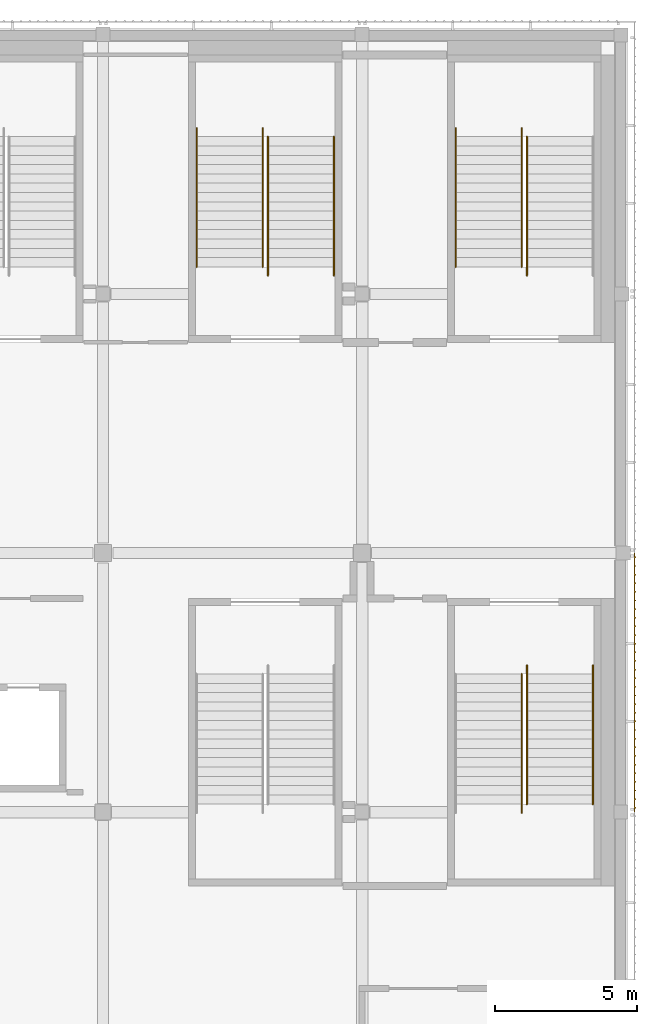
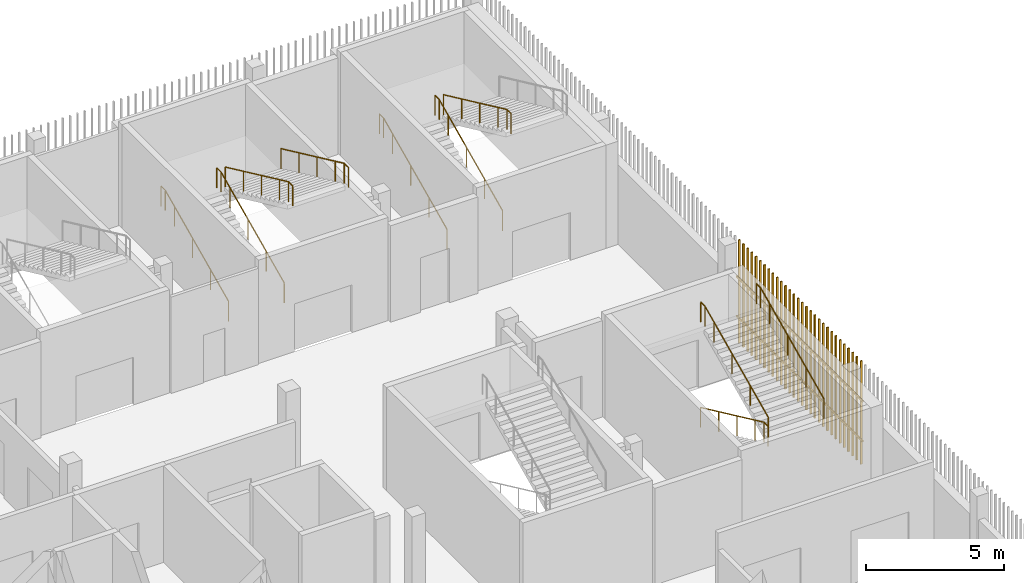
# One storey, part 120 of 124: 10 railings, 1 shading device.
"""IFC4 building model written with IfcOpenShell, lengths in metres."""

from ifc_helpers import new_model, si_unit, direction, frame, origin, origin_2d, place, context, subcontext, project, spatial, rectangle, circle, extrude, material, type_object, element, save


model = new_model("IFC4")

# Units and contexts
model_context = context("Model", 3, precision=1e-05, world=origin(), true_north=direction((0.0, 1.0)))
body_context = subcontext(model_context, "Body", "Model", "MODEL_VIEW")
ifc_project = project(units=[si_unit("LENGTHUNIT", "METRE"), si_unit("AREAUNIT", "SQUARE_METRE"), si_unit("VOLUMEUNIT", "CUBIC_METRE"), si_unit("PLANEANGLEUNIT", "RADIAN"), si_unit("MASSUNIT", "GRAM", prefix="KILO")], contexts=[model_context])

# Site, building, storey
site_placement = place(None, origin())
site = spatial("IfcSite", under=ifc_project, at=site_placement, CompositionType="ELEMENT")
building_placement = place(site_placement, origin())
building = spatial("IfcBuilding", under=site, at=building_placement, Name="Shirokan Park Arena", CompositionType="ELEMENT")
storey_placement = place(building_placement, frame((0.0, 0.0, 20.02001953125)))
storey = spatial("IfcBuildingStorey", under=building, at=storey_placement, Name="L04", CompositionType="ELEMENT", Elevation=20.02001953125)

# Railings
ifc_material_1 = material(Name="Stainless steel", Category="steel")
railing_type = type_object("IfcRailingType", Name="Stair handrail 900", PredefinedType="HANDRAIL", material=ifc_material_1)
railing_1_placement = place(storey_placement, frame((139.7900390625, 101.050048828125, 0.151611328125)))
element("IfcRailing", 1, at=railing_1_placement, inside=storey, type_object=railing_type, Name="Handrail Exit Stair 3.A L04 to L05", PredefinedType="HANDRAIL", context=body_context, shape_type="SweptSolid", body=[
    extrude(circle(Radius=0.02392578125, at=origin_2d()), frame((0.0, 0.0, 0.8759765625), z_axis=(0.0, 0.906999720516, 0.421131222998), x_axis=(-1.0, 0.0, 0.0)), (0.0, 0.0, 1.0), 1.440673828125),
    extrude(circle(Radius=0.02392578125, at=origin_2d()), frame((0.0, 1.306640625, 1.482421875), z_axis=(0.0, 0.907029769225, 0.421066500378), x_axis=(-1.0, 0.0, 0.0)), (0.0, 0.0, 1.0), 1.44091796875),
    extrude(circle(Radius=0.02392578125, at=origin_2d()), frame((0.0, 2.613525390625, 2.08935546875), z_axis=(0.0, 0.907029769225, 0.421066500378), x_axis=(-1.0, 0.0, 0.0)), (0.0, 0.0, 1.0), 1.44091796875),
    extrude(circle(Radius=0.02392578125, at=origin_2d()), frame((0.0, 3.92041015625, 2.69580078125), z_axis=(0.0, 0.907064445915, 0.420991794405), x_axis=(-1.0, 0.0, 0.0)), (0.0, 0.0, 1.0), 0.72021484375),
    extrude(circle(Radius=0.02392578125, at=origin_2d()), frame((0.0, 4.57373046875, 2.9990234375), z_axis=(0.0, 1.0, 0.0), x_axis=(-1.0, 0.0, 0.0)), (0.0, 0.0, 1.0), 0.300048828125),
    extrude(circle(Radius=0.02099609375, at=origin_2d()), origin(), (0.0, 0.0, 1.0), 0.851806640625),
    extrude(circle(Radius=0.02099609375, at=origin_2d()), frame((0.0, 1.306640625, 0.606689453125)), (0.0, 0.0, 1.0), 0.851806640625),
    extrude(circle(Radius=0.02099609375, at=origin_2d()), frame((0.0, 2.613525390625, 1.21337890625)), (0.0, 0.0, 1.0), 0.851806640625),
    extrude(circle(Radius=0.02099609375, at=origin_2d()), frame((0.0, 3.92041015625, 1.820068359375)), (0.0, 0.0, 1.0), 0.851806640625),
    extrude(circle(Radius=0.02099609375, at=origin_2d()), frame((0.0, 4.57373046875, 2.123291015625)), (0.0, 0.0, 1.0), 0.851806640625),
    extrude(circle(Radius=0.02099609375, at=origin_2d()), frame((0.0, 4.873779296875, 2.123291015625)), (0.0, 0.0, 1.0), 0.851806640625),
])
railing_2_placement = place(storey_placement, frame((142.110107421875, 101.050048828125, 0.151611328125)))
element("IfcRailing", 2, at=railing_2_placement, inside=storey, type_object=railing_type, Name="Handrail Exit Stair 3.A L04 to L05", PredefinedType="HANDRAIL", context=body_context, shape_type="SweptSolid", body=[
    extrude(circle(Radius=0.02392578125, at=origin_2d()), frame((0.0, 0.0, 0.8759765625), z_axis=(0.0, 0.906999720516, 0.421131222998), x_axis=(-1.0, 0.0, 0.0)), (0.0, 0.0, 1.0), 1.440673828125),
    extrude(circle(Radius=0.02392578125, at=origin_2d()), frame((0.0, 1.306640625, 1.482421875), z_axis=(0.0, 0.907029769225, 0.421066500378), x_axis=(-1.0, 0.0, 0.0)), (0.0, 0.0, 1.0), 1.44091796875),
    extrude(circle(Radius=0.02392578125, at=origin_2d()), frame((0.0, 2.613525390625, 2.08935546875), z_axis=(0.0, 0.907029769225, 0.421066500378), x_axis=(-1.0, 0.0, 0.0)), (0.0, 0.0, 1.0), 1.44091796875),
    extrude(circle(Radius=0.02392578125, at=origin_2d()), frame((0.0, 3.92041015625, 2.69580078125), z_axis=(0.0, 0.907064445915, 0.420991794405), x_axis=(-1.0, 0.0, 0.0)), (0.0, 0.0, 1.0), 0.72021484375),
    extrude(circle(Radius=0.02392578125, at=origin_2d()), frame((0.0, 4.57373046875, 2.9990234375), z_axis=(0.0, 1.0, 0.0), x_axis=(-1.0, 0.0, 0.0)), (0.0, 0.0, 1.0), 0.300048828125),
    extrude(circle(Radius=0.02099609375, at=origin_2d()), origin(), (0.0, 0.0, 1.0), 0.851806640625),
    extrude(circle(Radius=0.02099609375, at=origin_2d()), frame((0.0, 1.306640625, 0.606689453125)), (0.0, 0.0, 1.0), 0.851806640625),
    extrude(circle(Radius=0.02099609375, at=origin_2d()), frame((0.0, 2.613525390625, 1.21337890625)), (0.0, 0.0, 1.0), 0.851806640625),
    extrude(circle(Radius=0.02099609375, at=origin_2d()), frame((0.0, 3.92041015625, 1.820068359375)), (0.0, 0.0, 1.0), 0.851806640625),
    extrude(circle(Radius=0.02099609375, at=origin_2d()), frame((0.0, 4.57373046875, 2.123291015625)), (0.0, 0.0, 1.0), 0.851806640625),
    extrude(circle(Radius=0.02099609375, at=origin_2d()), frame((0.0, 4.873779296875, 2.123291015625)), (0.0, 0.0, 1.0), 0.851806640625),
])
railing_3_placement = place(storey_placement, frame((142.2900390625, 105.623779296875, 2.4267578125)))
element("IfcRailing", 3, at=railing_3_placement, inside=storey, type_object=railing_type, Name="Handrail Exit Stair 3.A L04 to L05", PredefinedType="HANDRAIL", context=body_context, shape_type="SweptSolid", body=[
    extrude(circle(Radius=0.02392578125, at=origin_2d()), frame((0.0, 0.0, 0.8759765625), z_axis=(0.0, -0.907094476872, 0.420927083981), x_axis=(1.0, 0.0, 0.0)), (0.0, 0.0, 1.0), 1.440673828125),
    extrude(circle(Radius=0.02392578125, at=origin_2d()), frame((0.0, -1.306884765625, 1.482421875), z_axis=(0.0, -0.906999720516, 0.421131222998), x_axis=(1.0, 0.0, 0.0)), (0.0, 0.0, 1.0), 1.440673828125),
    extrude(circle(Radius=0.02392578125, at=origin_2d()), frame((0.0, -2.613525390625, 2.0888671875), z_axis=(0.0, -0.907029769225, 0.421066500378), x_axis=(1.0, 0.0, 0.0)), (0.0, 0.0, 1.0), 1.44091796875),
    extrude(circle(Radius=0.02392578125, at=origin_2d()), frame((0.0, -3.92041015625, 2.69580078125), z_axis=(0.0, -0.906934982928, 0.421270621741), x_axis=(1.0, 0.0, 0.0)), (0.0, 0.0, 1.0), 0.720458984375),
    extrude(circle(Radius=0.02392578125, at=origin_2d()), frame((0.0, -4.57373046875, 2.9990234375), z_axis=(0.0, -1.0, 0.0), x_axis=(1.0, 0.0, 0.0)), (0.0, 0.0, 1.0), 0.300048828125),
    extrude(circle(Radius=0.02099609375, at=origin_2d()), origin(), (0.0, 0.0, 1.0), 0.851806640625),
    extrude(circle(Radius=0.02099609375, at=origin_2d()), frame((0.0, -1.306884765625, 0.6064453125)), (0.0, 0.0, 1.0), 0.851806640625),
    extrude(circle(Radius=0.02099609375, at=origin_2d()), frame((0.0, -2.613525390625, 1.213134765625)), (0.0, 0.0, 1.0), 0.851806640625),
    extrude(circle(Radius=0.02099609375, at=origin_2d()), frame((0.0, -3.92041015625, 1.81982421875)), (0.0, 0.0, 1.0), 0.851806640625),
    extrude(circle(Radius=0.02099609375, at=origin_2d()), frame((0.0, -4.57373046875, 2.123291015625)), (0.0, 0.0, 1.0), 0.851806640625),
    extrude(circle(Radius=0.02099609375, at=origin_2d()), frame((0.0, -4.873779296875, 2.123291015625)), (0.0, 0.0, 1.0), 0.851806640625),
])
railing_4_placement = place(storey_placement, frame((130.68994140625, 101.050048828125, 0.151611328125)))
element("IfcRailing", 4, at=railing_4_placement, inside=storey, type_object=railing_type, Name="Handrail Exit Stair 3.B L04 to L05", PredefinedType="HANDRAIL", context=body_context, shape_type="SweptSolid", body=[
    extrude(circle(Radius=0.02392578125, at=origin_2d()), frame((0.0, 0.0, 0.8759765625), z_axis=(0.0, 0.906999720516, 0.421131222998), x_axis=(-1.0, 0.0, 0.0)), (0.0, 0.0, 1.0), 1.440673828125),
    extrude(circle(Radius=0.02392578125, at=origin_2d()), frame((0.0, 1.306640625, 1.482421875), z_axis=(0.0, 0.907029769225, 0.421066500378), x_axis=(-1.0, 0.0, 0.0)), (0.0, 0.0, 1.0), 1.44091796875),
    extrude(circle(Radius=0.02392578125, at=origin_2d()), frame((0.0, 2.613525390625, 2.08935546875), z_axis=(0.0, 0.907029769225, 0.421066500378), x_axis=(-1.0, 0.0, 0.0)), (0.0, 0.0, 1.0), 1.44091796875),
    extrude(circle(Radius=0.02392578125, at=origin_2d()), frame((0.0, 3.92041015625, 2.69580078125), z_axis=(0.0, 0.907064445915, 0.420991794405), x_axis=(-1.0, 0.0, 0.0)), (0.0, 0.0, 1.0), 0.72021484375),
    extrude(circle(Radius=0.02392578125, at=origin_2d()), frame((0.0, 4.57373046875, 2.9990234375), z_axis=(0.0, 1.0, 0.0), x_axis=(-1.0, 0.0, 0.0)), (0.0, 0.0, 1.0), 0.300048828125),
    extrude(circle(Radius=0.02099609375, at=origin_2d()), origin(), (0.0, 0.0, 1.0), 0.851806640625),
    extrude(circle(Radius=0.02099609375, at=origin_2d()), frame((0.0, 1.306640625, 0.606689453125)), (0.0, 0.0, 1.0), 0.851806640625),
    extrude(circle(Radius=0.02099609375, at=origin_2d()), frame((0.0, 2.613525390625, 1.21337890625)), (0.0, 0.0, 1.0), 0.851806640625),
    extrude(circle(Radius=0.02099609375, at=origin_2d()), frame((0.0, 3.92041015625, 1.820068359375)), (0.0, 0.0, 1.0), 0.851806640625),
    extrude(circle(Radius=0.02099609375, at=origin_2d()), frame((0.0, 4.57373046875, 2.123291015625)), (0.0, 0.0, 1.0), 0.851806640625),
    extrude(circle(Radius=0.02099609375, at=origin_2d()), frame((0.0, 4.873779296875, 2.123291015625)), (0.0, 0.0, 1.0), 0.851806640625),
])
railing_5_placement = place(storey_placement, frame((133.010009765625, 101.050048828125, 0.151611328125)))
element("IfcRailing", 5, at=railing_5_placement, inside=storey, type_object=railing_type, Name="Handrail Exit Stair 3.B L04 to L05", PredefinedType="HANDRAIL", context=body_context, shape_type="SweptSolid", body=[
    extrude(circle(Radius=0.02392578125, at=origin_2d()), frame((0.0, 0.0, 0.8759765625), z_axis=(0.0, 0.906999720516, 0.421131222998), x_axis=(-1.0, 0.0, 0.0)), (0.0, 0.0, 1.0), 1.440673828125),
    extrude(circle(Radius=0.02392578125, at=origin_2d()), frame((0.0, 1.306640625, 1.482421875), z_axis=(0.0, 0.907029769225, 0.421066500378), x_axis=(-1.0, 0.0, 0.0)), (0.0, 0.0, 1.0), 1.44091796875),
    extrude(circle(Radius=0.02392578125, at=origin_2d()), frame((0.0, 2.613525390625, 2.08935546875), z_axis=(0.0, 0.907029769225, 0.421066500378), x_axis=(-1.0, 0.0, 0.0)), (0.0, 0.0, 1.0), 1.44091796875),
    extrude(circle(Radius=0.02392578125, at=origin_2d()), frame((0.0, 3.92041015625, 2.69580078125), z_axis=(0.0, 0.907064445915, 0.420991794405), x_axis=(-1.0, 0.0, 0.0)), (0.0, 0.0, 1.0), 0.72021484375),
    extrude(circle(Radius=0.02392578125, at=origin_2d()), frame((0.0, 4.57373046875, 2.9990234375), z_axis=(0.0, 1.0, 0.0), x_axis=(-1.0, 0.0, 0.0)), (0.0, 0.0, 1.0), 0.300048828125),
    extrude(circle(Radius=0.02099609375, at=origin_2d()), origin(), (0.0, 0.0, 1.0), 0.851806640625),
    extrude(circle(Radius=0.02099609375, at=origin_2d()), frame((0.0, 1.306640625, 0.606689453125)), (0.0, 0.0, 1.0), 0.851806640625),
    extrude(circle(Radius=0.02099609375, at=origin_2d()), frame((0.0, 2.613525390625, 1.21337890625)), (0.0, 0.0, 1.0), 0.851806640625),
    extrude(circle(Radius=0.02099609375, at=origin_2d()), frame((0.0, 3.92041015625, 1.820068359375)), (0.0, 0.0, 1.0), 0.851806640625),
    extrude(circle(Radius=0.02099609375, at=origin_2d()), frame((0.0, 4.57373046875, 2.123291015625)), (0.0, 0.0, 1.0), 0.851806640625),
    extrude(circle(Radius=0.02099609375, at=origin_2d()), frame((0.0, 4.873779296875, 2.123291015625)), (0.0, 0.0, 1.0), 0.851806640625),
])
railing_6_placement = place(storey_placement, frame((133.18994140625, 105.623779296875, 2.4267578125)))
element("IfcRailing", 6, at=railing_6_placement, inside=storey, type_object=railing_type, Name="Handrail Exit Stair 3.B L04 to L05", PredefinedType="HANDRAIL", context=body_context, shape_type="SweptSolid", body=[
    extrude(circle(Radius=0.02392578125, at=origin_2d()), frame((0.0, 0.0, 0.8759765625), z_axis=(0.0, -0.907094476872, 0.420927083981), x_axis=(1.0, 0.0, 0.0)), (0.0, 0.0, 1.0), 1.440673828125),
    extrude(circle(Radius=0.02392578125, at=origin_2d()), frame((0.0, -1.306884765625, 1.482421875), z_axis=(0.0, -0.906999720516, 0.421131222998), x_axis=(1.0, 0.0, 0.0)), (0.0, 0.0, 1.0), 1.440673828125),
    extrude(circle(Radius=0.02392578125, at=origin_2d()), frame((0.0, -2.613525390625, 2.0888671875), z_axis=(0.0, -0.907029769225, 0.421066500378), x_axis=(1.0, 0.0, 0.0)), (0.0, 0.0, 1.0), 1.44091796875),
    extrude(circle(Radius=0.02392578125, at=origin_2d()), frame((0.0, -3.92041015625, 2.69580078125), z_axis=(0.0, -0.906934982928, 0.421270621741), x_axis=(1.0, 0.0, 0.0)), (0.0, 0.0, 1.0), 0.720458984375),
    extrude(circle(Radius=0.02392578125, at=origin_2d()), frame((0.0, -4.57373046875, 2.9990234375), z_axis=(0.0, -1.0, 0.0), x_axis=(1.0, 0.0, 0.0)), (0.0, 0.0, 1.0), 0.300048828125),
    extrude(circle(Radius=0.02099609375, at=origin_2d()), origin(), (0.0, 0.0, 1.0), 0.851806640625),
    extrude(circle(Radius=0.02099609375, at=origin_2d()), frame((0.0, -1.306884765625, 0.6064453125)), (0.0, 0.0, 1.0), 0.851806640625),
    extrude(circle(Radius=0.02099609375, at=origin_2d()), frame((0.0, -2.613525390625, 1.213134765625)), (0.0, 0.0, 1.0), 0.851806640625),
    extrude(circle(Radius=0.02099609375, at=origin_2d()), frame((0.0, -3.92041015625, 1.81982421875)), (0.0, 0.0, 1.0), 0.851806640625),
    extrude(circle(Radius=0.02099609375, at=origin_2d()), frame((0.0, -4.57373046875, 2.123291015625)), (0.0, 0.0, 1.0), 0.851806640625),
    extrude(circle(Radius=0.02099609375, at=origin_2d()), frame((0.0, -4.873779296875, 2.123291015625)), (0.0, 0.0, 1.0), 0.851806640625),
])
railing_7_placement = place(storey_placement, frame((135.510009765625, 105.623779296875, 2.4267578125)))
element("IfcRailing", 7, at=railing_7_placement, inside=storey, type_object=railing_type, Name="Handrail Exit Stair 3.B L04 to L05", PredefinedType="HANDRAIL", context=body_context, shape_type="SweptSolid", body=[
    extrude(circle(Radius=0.02392578125, at=origin_2d()), frame((0.0, 0.0, 0.8759765625), z_axis=(0.0, -0.907094476872, 0.420927083981), x_axis=(1.0, 0.0, 0.0)), (0.0, 0.0, 1.0), 1.440673828125),
    extrude(circle(Radius=0.02392578125, at=origin_2d()), frame((0.0, -1.306884765625, 1.482421875), z_axis=(0.0, -0.906999720516, 0.421131222998), x_axis=(1.0, 0.0, 0.0)), (0.0, 0.0, 1.0), 1.440673828125),
    extrude(circle(Radius=0.02392578125, at=origin_2d()), frame((0.0, -2.613525390625, 2.0888671875), z_axis=(0.0, -0.907029769225, 0.421066500378), x_axis=(1.0, 0.0, 0.0)), (0.0, 0.0, 1.0), 1.44091796875),
    extrude(circle(Radius=0.02392578125, at=origin_2d()), frame((0.0, -3.92041015625, 2.69580078125), z_axis=(0.0, -0.906934982928, 0.421270621741), x_axis=(1.0, 0.0, 0.0)), (0.0, 0.0, 1.0), 0.720458984375),
    extrude(circle(Radius=0.02392578125, at=origin_2d()), frame((0.0, -4.57373046875, 2.9990234375), z_axis=(0.0, -1.0, 0.0), x_axis=(1.0, 0.0, 0.0)), (0.0, 0.0, 1.0), 0.300048828125),
    extrude(circle(Radius=0.02099609375, at=origin_2d()), origin(), (0.0, 0.0, 1.0), 0.851806640625),
    extrude(circle(Radius=0.02099609375, at=origin_2d()), frame((0.0, -1.306884765625, 0.6064453125)), (0.0, 0.0, 1.0), 0.851806640625),
    extrude(circle(Radius=0.02099609375, at=origin_2d()), frame((0.0, -2.613525390625, 1.213134765625)), (0.0, 0.0, 1.0), 0.851806640625),
    extrude(circle(Radius=0.02099609375, at=origin_2d()), frame((0.0, -3.92041015625, 1.81982421875)), (0.0, 0.0, 1.0), 0.851806640625),
    extrude(circle(Radius=0.02099609375, at=origin_2d()), frame((0.0, -4.57373046875, 2.123291015625)), (0.0, 0.0, 1.0), 0.851806640625),
    extrude(circle(Radius=0.02099609375, at=origin_2d()), frame((0.0, -4.873779296875, 2.123291015625)), (0.0, 0.0, 1.0), 0.851806640625),
])
railing_8_placement = place(storey_placement, frame((142.110107421875, 86.75, 0.151611328125)))
element("IfcRailing", 8, at=railing_8_placement, inside=storey, type_object=railing_type, Name="Handrail Exit Stair 3.E L04 to L05", PredefinedType="HANDRAIL", context=body_context, shape_type="SweptSolid", body=[
    extrude(circle(Radius=0.02392578125, at=origin_2d()), frame((0.0, 0.0, 0.8759765625), z_axis=(0.0, -0.907029769225, 0.421066500378), x_axis=(1.0, 0.0, 0.0)), (0.0, 0.0, 1.0), 1.44091796875),
    extrude(circle(Radius=0.02392578125, at=origin_2d()), frame((0.0, -1.306884765625, 1.482421875), z_axis=(0.0, -0.906999720516, 0.421131222998), x_axis=(1.0, 0.0, 0.0)), (0.0, 0.0, 1.0), 1.440673828125),
    extrude(circle(Radius=0.02392578125, at=origin_2d()), frame((0.0, -2.613525390625, 2.08935546875), z_axis=(0.0, -0.907029769225, 0.421066500378), x_axis=(1.0, 0.0, 0.0)), (0.0, 0.0, 1.0), 1.44091796875),
    extrude(circle(Radius=0.02392578125, at=origin_2d()), frame((0.0, -3.92041015625, 2.69580078125), z_axis=(0.0, -0.907064445915, 0.420991794405), x_axis=(1.0, 0.0, 0.0)), (0.0, 0.0, 1.0), 0.72021484375),
    extrude(circle(Radius=0.02392578125, at=origin_2d()), frame((0.0, -4.57373046875, 2.9990234375), z_axis=(0.0, -1.0, 0.0), x_axis=(1.0, 0.0, 0.0)), (0.0, 0.0, 1.0), 0.300048828125),
    extrude(circle(Radius=0.02099609375, at=origin_2d()), origin(), (0.0, 0.0, 1.0), 0.851806640625),
    extrude(circle(Radius=0.02099609375, at=origin_2d()), frame((0.0, -1.306884765625, 0.606689453125)), (0.0, 0.0, 1.0), 0.851806640625),
    extrude(circle(Radius=0.02099609375, at=origin_2d()), frame((0.0, -2.613525390625, 1.21337890625)), (0.0, 0.0, 1.0), 0.851806640625),
    extrude(circle(Radius=0.02099609375, at=origin_2d()), frame((0.0, -3.92041015625, 1.820068359375)), (0.0, 0.0, 1.0), 0.851806640625),
    extrude(circle(Radius=0.02099609375, at=origin_2d()), frame((0.0, -4.57373046875, 2.123291015625)), (0.0, 0.0, 1.0), 0.851806640625),
    extrude(circle(Radius=0.02099609375, at=origin_2d()), frame((0.0, -4.873779296875, 2.123291015625)), (0.0, 0.0, 1.0), 0.851806640625),
])
railing_9_placement = place(storey_placement, frame((142.2900390625, 82.17626953125, 2.4267578125)))
element("IfcRailing", 9, at=railing_9_placement, inside=storey, type_object=railing_type, Name="Handrail Exit Stair 3.E L04 to L05", PredefinedType="HANDRAIL", context=body_context, shape_type="SweptSolid", body=[
    extrude(circle(Radius=0.02392578125, at=origin_2d()), frame((0.0, 0.0, 0.8759765625), z_axis=(0.0, 0.907064445915, 0.420991794405), x_axis=(-1.0, 0.0, 0.0)), (0.0, 0.0, 1.0), 1.4404296875),
    extrude(circle(Radius=0.02392578125, at=origin_2d()), frame((0.0, 1.306640625, 1.482421875), z_axis=(0.0, 0.907029769225, 0.421066500378), x_axis=(-1.0, 0.0, 0.0)), (0.0, 0.0, 1.0), 1.44091796875),
    extrude(circle(Radius=0.02392578125, at=origin_2d()), frame((0.0, 2.613525390625, 2.0888671875), z_axis=(0.0, 0.907029769225, 0.421066500378), x_axis=(-1.0, 0.0, 0.0)), (0.0, 0.0, 1.0), 1.44091796875),
    extrude(circle(Radius=0.02392578125, at=origin_2d()), frame((0.0, 3.92041015625, 2.69580078125), z_axis=(0.0, 0.906934982928, 0.421270621741), x_axis=(-1.0, 0.0, 0.0)), (0.0, 0.0, 1.0), 0.720458984375),
    extrude(circle(Radius=0.02392578125, at=origin_2d()), frame((0.0, 4.57373046875, 2.9990234375), z_axis=(0.0, 1.0, 0.0), x_axis=(-1.0, 0.0, 0.0)), (0.0, 0.0, 1.0), 0.300048828125),
    extrude(circle(Radius=0.02099609375, at=origin_2d()), origin(), (0.0, 0.0, 1.0), 0.851806640625),
    extrude(circle(Radius=0.02099609375, at=origin_2d()), frame((0.0, 1.306640625, 0.6064453125)), (0.0, 0.0, 1.0), 0.851806640625),
    extrude(circle(Radius=0.02099609375, at=origin_2d()), frame((0.0, 2.613525390625, 1.213134765625)), (0.0, 0.0, 1.0), 0.851806640625),
    extrude(circle(Radius=0.02099609375, at=origin_2d()), frame((0.0, 3.92041015625, 1.81982421875)), (0.0, 0.0, 1.0), 0.851806640625),
    extrude(circle(Radius=0.02099609375, at=origin_2d()), frame((0.0, 4.57373046875, 2.123291015625)), (0.0, 0.0, 1.0), 0.851806640625),
    extrude(circle(Radius=0.02099609375, at=origin_2d()), frame((0.0, 4.873779296875, 2.123291015625)), (0.0, 0.0, 1.0), 0.851806640625),
])
railing_10_placement = place(storey_placement, frame((144.610107421875, 82.17626953125, 2.4267578125)))
element("IfcRailing", 10, at=railing_10_placement, inside=storey, type_object=railing_type, Name="Handrail Exit Stair 3.E L04 to L05", PredefinedType="HANDRAIL", context=body_context, shape_type="SweptSolid", body=[
    extrude(circle(Radius=0.02392578125, at=origin_2d()), frame((0.0, 0.0, 0.8759765625), z_axis=(0.0, 0.907064445915, 0.420991794405), x_axis=(-1.0, 0.0, 0.0)), (0.0, 0.0, 1.0), 1.4404296875),
    extrude(circle(Radius=0.02392578125, at=origin_2d()), frame((0.0, 1.306640625, 1.482421875), z_axis=(0.0, 0.907029769225, 0.421066500378), x_axis=(-1.0, 0.0, 0.0)), (0.0, 0.0, 1.0), 1.44091796875),
    extrude(circle(Radius=0.02392578125, at=origin_2d()), frame((0.0, 2.613525390625, 2.0888671875), z_axis=(0.0, 0.907029769225, 0.421066500378), x_axis=(-1.0, 0.0, 0.0)), (0.0, 0.0, 1.0), 1.44091796875),
    extrude(circle(Radius=0.02392578125, at=origin_2d()), frame((0.0, 3.92041015625, 2.69580078125), z_axis=(0.0, 0.906934982928, 0.421270621741), x_axis=(-1.0, 0.0, 0.0)), (0.0, 0.0, 1.0), 0.720458984375),
    extrude(circle(Radius=0.02392578125, at=origin_2d()), frame((0.0, 4.57373046875, 2.9990234375), z_axis=(0.0, 1.0, 0.0), x_axis=(-1.0, 0.0, 0.0)), (0.0, 0.0, 1.0), 0.300048828125),
    extrude(circle(Radius=0.02099609375, at=origin_2d()), origin(), (0.0, 0.0, 1.0), 0.851806640625),
    extrude(circle(Radius=0.02099609375, at=origin_2d()), frame((0.0, 1.306640625, 0.6064453125)), (0.0, 0.0, 1.0), 0.851806640625),
    extrude(circle(Radius=0.02099609375, at=origin_2d()), frame((0.0, 2.613525390625, 1.213134765625)), (0.0, 0.0, 1.0), 0.851806640625),
    extrude(circle(Radius=0.02099609375, at=origin_2d()), frame((0.0, 3.92041015625, 1.81982421875)), (0.0, 0.0, 1.0), 0.851806640625),
    extrude(circle(Radius=0.02099609375, at=origin_2d()), frame((0.0, 4.57373046875, 2.123291015625)), (0.0, 0.0, 1.0), 0.851806640625),
    extrude(circle(Radius=0.02099609375, at=origin_2d()), frame((0.0, 4.873779296875, 2.123291015625)), (0.0, 0.0, 1.0), 0.851806640625),
])

# Shading device
ifc_material_2 = material(Name="Timber louvre veil (cedar)", Category="wood")
shading_device_type = type_object("IfcShadingDeviceType", Name="Timber louvre veil panel", PredefinedType="JALOUSIE", material=ifc_material_2)
shading_device_placement = place(storey_placement, origin())
element("IfcShadingDevice", 11, at=shading_device_placement, inside=storey, type_object=shading_device_type, Name="Timber louvre veil east bay 10 L04", PredefinedType="JALOUSIE", context=body_context, shape_type="SweptSolid", body=[
    extrude(rectangle(XDim=0.050048828125, YDim=0.080078125, at=origin_2d()), frame((146.0849609375, 82.0517578125, 0.0), z_axis=(0.0, 0.0, 1.0), x_axis=(0.0, 1.0, 0.0)), (0.0, 0.0, 1.0), 4.550048828125),
    extrude(rectangle(XDim=0.050048828125, YDim=0.080078125, at=origin_2d()), frame((146.0849609375, 82.35498046875, 0.0), z_axis=(0.0, 0.0, 1.0), x_axis=(0.0, 1.0, 0.0)), (0.0, 0.0, 1.0), 4.550048828125),
    extrude(rectangle(XDim=0.050048828125, YDim=0.080078125, at=origin_2d()), frame((146.0849609375, 82.658447265625, 0.0), z_axis=(0.0, 0.0, 1.0), x_axis=(0.0, 1.0, 0.0)), (0.0, 0.0, 1.0), 4.550048828125),
    extrude(rectangle(XDim=0.050048828125, YDim=0.080078125, at=origin_2d()), frame((146.0849609375, 82.961669921875, 0.0), z_axis=(0.0, 0.0, 1.0), x_axis=(0.0, 1.0, 0.0)), (0.0, 0.0, 1.0), 4.550048828125),
    extrude(rectangle(XDim=0.050048828125, YDim=0.080078125, at=origin_2d()), frame((146.0849609375, 83.264892578125, 0.0), z_axis=(0.0, 0.0, 1.0), x_axis=(0.0, 1.0, 0.0)), (0.0, 0.0, 1.0), 4.550048828125),
    extrude(rectangle(XDim=0.050048828125, YDim=0.080078125, at=origin_2d()), frame((146.0849609375, 83.568359375, 0.0), z_axis=(0.0, 0.0, 1.0), x_axis=(0.0, 1.0, 0.0)), (0.0, 0.0, 1.0), 4.550048828125),
    extrude(rectangle(XDim=0.050048828125, YDim=0.080078125, at=origin_2d()), frame((146.0849609375, 83.87158203125, 0.0), z_axis=(0.0, 0.0, 1.0), x_axis=(0.0, 1.0, 0.0)), (0.0, 0.0, 1.0), 4.550048828125),
    extrude(rectangle(XDim=0.050048828125, YDim=0.080078125, at=origin_2d()), frame((146.0849609375, 84.175048828125, 0.0), z_axis=(0.0, 0.0, 1.0), x_axis=(0.0, 1.0, 0.0)), (0.0, 0.0, 1.0), 4.550048828125),
    extrude(rectangle(XDim=0.050048828125, YDim=0.080078125, at=origin_2d()), frame((146.0849609375, 84.478271484375, 0.0), z_axis=(0.0, 0.0, 1.0), x_axis=(0.0, 1.0, 0.0)), (0.0, 0.0, 1.0), 4.550048828125),
    extrude(rectangle(XDim=0.050048828125, YDim=0.080078125, at=origin_2d()), frame((146.0849609375, 84.78173828125, 0.0), z_axis=(0.0, 0.0, 1.0), x_axis=(0.0, 1.0, 0.0)), (0.0, 0.0, 1.0), 4.550048828125),
    extrude(rectangle(XDim=0.050048828125, YDim=0.080078125, at=origin_2d()), frame((146.0849609375, 85.0849609375, 0.0), z_axis=(0.0, 0.0, 1.0), x_axis=(0.0, 1.0, 0.0)), (0.0, 0.0, 1.0), 4.550048828125),
    extrude(rectangle(XDim=0.050048828125, YDim=0.080078125, at=origin_2d()), frame((146.0849609375, 85.388427734375, 0.0), z_axis=(0.0, 0.0, 1.0), x_axis=(0.0, 1.0, 0.0)), (0.0, 0.0, 1.0), 4.550048828125),
    extrude(rectangle(XDim=0.050048828125, YDim=0.080078125, at=origin_2d()), frame((146.0849609375, 85.691650390625, 0.0), z_axis=(0.0, 0.0, 1.0), x_axis=(0.0, 1.0, 0.0)), (0.0, 0.0, 1.0), 4.550048828125),
    extrude(rectangle(XDim=0.050048828125, YDim=0.080078125, at=origin_2d()), frame((146.0849609375, 85.9951171875, 0.0), z_axis=(0.0, 0.0, 1.0), x_axis=(0.0, 1.0, 0.0)), (0.0, 0.0, 1.0), 4.550048828125),
    extrude(rectangle(XDim=0.050048828125, YDim=0.080078125, at=origin_2d()), frame((146.0849609375, 86.29833984375, 0.0), z_axis=(0.0, 0.0, 1.0), x_axis=(0.0, 1.0, 0.0)), (0.0, 0.0, 1.0), 4.550048828125),
    extrude(rectangle(XDim=0.050048828125, YDim=0.080078125, at=origin_2d()), frame((146.0849609375, 86.6015625, 0.0), z_axis=(0.0, 0.0, 1.0), x_axis=(0.0, 1.0, 0.0)), (0.0, 0.0, 1.0), 4.550048828125),
    extrude(rectangle(XDim=0.050048828125, YDim=0.080078125, at=origin_2d()), frame((146.0849609375, 86.905029296875, 0.0), z_axis=(0.0, 0.0, 1.0), x_axis=(0.0, 1.0, 0.0)), (0.0, 0.0, 1.0), 4.550048828125),
    extrude(rectangle(XDim=0.050048828125, YDim=0.080078125, at=origin_2d()), frame((146.0849609375, 87.208251953125, 0.0), z_axis=(0.0, 0.0, 1.0), x_axis=(0.0, 1.0, 0.0)), (0.0, 0.0, 1.0), 4.550048828125),
    extrude(rectangle(XDim=0.050048828125, YDim=0.080078125, at=origin_2d()), frame((146.0849609375, 87.51171875, 0.0), z_axis=(0.0, 0.0, 1.0), x_axis=(0.0, 1.0, 0.0)), (0.0, 0.0, 1.0), 4.550048828125),
    extrude(rectangle(XDim=0.050048828125, YDim=0.080078125, at=origin_2d()), frame((146.0849609375, 87.81494140625, 0.0), z_axis=(0.0, 0.0, 1.0), x_axis=(0.0, 1.0, 0.0)), (0.0, 0.0, 1.0), 4.550048828125),
    extrude(rectangle(XDim=0.050048828125, YDim=0.080078125, at=origin_2d()), frame((146.0849609375, 88.118408203125, 0.0), z_axis=(0.0, 0.0, 1.0), x_axis=(0.0, 1.0, 0.0)), (0.0, 0.0, 1.0), 4.550048828125),
    extrude(rectangle(XDim=0.050048828125, YDim=0.080078125, at=origin_2d()), frame((146.0849609375, 88.421630859375, 0.0), z_axis=(0.0, 0.0, 1.0), x_axis=(0.0, 1.0, 0.0)), (0.0, 0.0, 1.0), 4.550048828125),
    extrude(rectangle(XDim=0.050048828125, YDim=0.080078125, at=origin_2d()), frame((146.0849609375, 88.72509765625, 0.0), z_axis=(0.0, 0.0, 1.0), x_axis=(0.0, 1.0, 0.0)), (0.0, 0.0, 1.0), 4.550048828125),
    extrude(rectangle(XDim=0.050048828125, YDim=0.080078125, at=origin_2d()), frame((146.0849609375, 89.0283203125, 0.0), z_axis=(0.0, 0.0, 1.0), x_axis=(0.0, 1.0, 0.0)), (0.0, 0.0, 1.0), 4.550048828125),
    extrude(rectangle(XDim=0.050048828125, YDim=0.080078125, at=origin_2d()), frame((146.0849609375, 89.331787109375, 0.0), z_axis=(0.0, 0.0, 1.0), x_axis=(0.0, 1.0, 0.0)), (0.0, 0.0, 1.0), 4.550048828125),
    extrude(rectangle(XDim=0.050048828125, YDim=0.080078125, at=origin_2d()), frame((146.0849609375, 89.635009765625, 0.0), z_axis=(0.0, 0.0, 1.0), x_axis=(0.0, 1.0, 0.0)), (0.0, 0.0, 1.0), 4.550048828125),
    extrude(rectangle(XDim=0.050048828125, YDim=0.080078125, at=origin_2d()), frame((146.0849609375, 89.938232421875, 0.0), z_axis=(0.0, 0.0, 1.0), x_axis=(0.0, 1.0, 0.0)), (0.0, 0.0, 1.0), 4.550048828125),
    extrude(rectangle(XDim=0.050048828125, YDim=0.080078125, at=origin_2d()), frame((146.0849609375, 90.24169921875, 0.0), z_axis=(0.0, 0.0, 1.0), x_axis=(0.0, 1.0, 0.0)), (0.0, 0.0, 1.0), 4.550048828125),
    extrude(rectangle(XDim=0.050048828125, YDim=0.080078125, at=origin_2d()), frame((146.0849609375, 90.544921875, 0.0), z_axis=(0.0, 0.0, 1.0), x_axis=(0.0, 1.0, 0.0)), (0.0, 0.0, 1.0), 4.550048828125),
    extrude(rectangle(XDim=0.050048828125, YDim=0.080078125, at=origin_2d()), frame((146.0849609375, 90.848388671875, 0.0), z_axis=(0.0, 0.0, 1.0), x_axis=(0.0, 1.0, 0.0)), (0.0, 0.0, 1.0), 4.550048828125),
    extrude(rectangle(XDim=9.10009765625, YDim=0.050048828125, at=origin_2d()), frame((146.070068359375, 86.449951171875, 1.06005859375), z_axis=(0.0, 0.0, 1.0), x_axis=(0.0, 1.0, 0.0)), (0.0, 0.0, 1.0), 0.080078125),
    extrude(rectangle(XDim=9.10009765625, YDim=0.050048828125, at=origin_2d()), frame((146.070068359375, 86.449951171875, 2.81005859375), z_axis=(0.0, 0.0, 1.0), x_axis=(0.0, 1.0, 0.0)), (0.0, 0.0, 1.0), 0.080078125),
])

save(model, "model.ifc")
